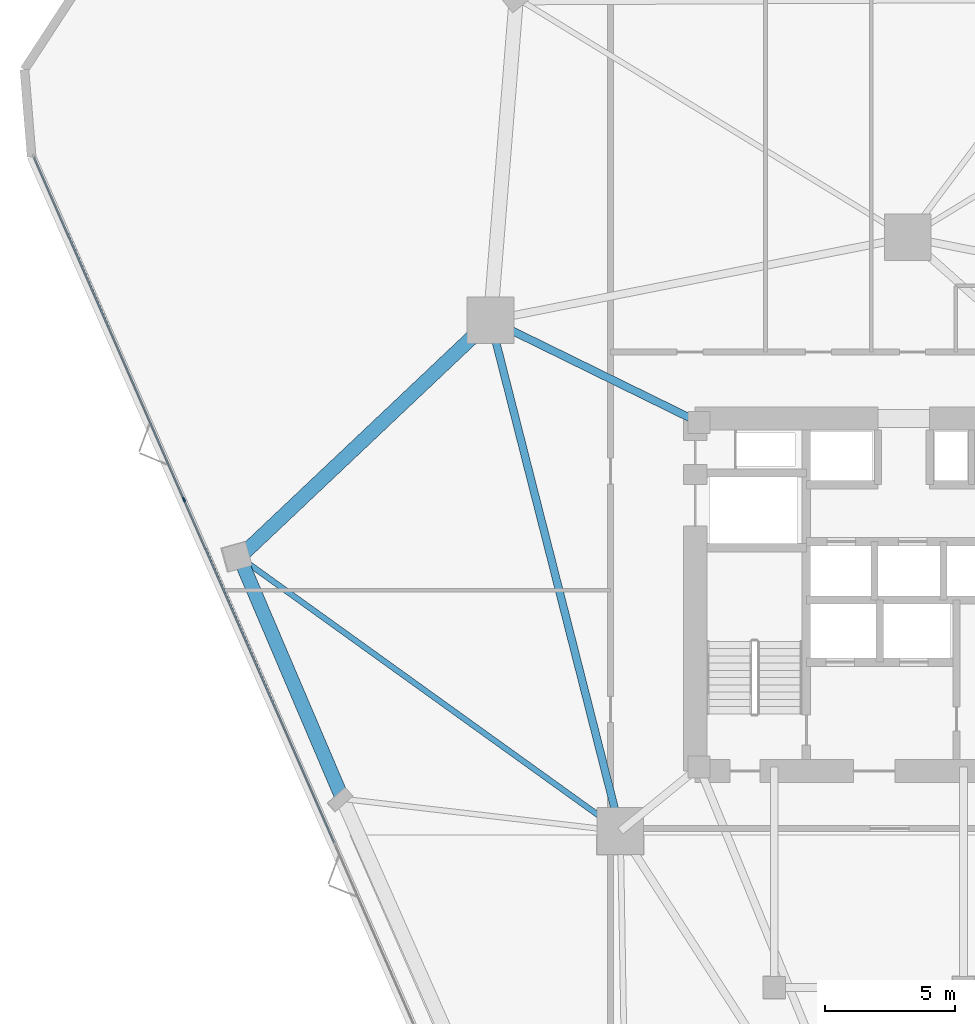
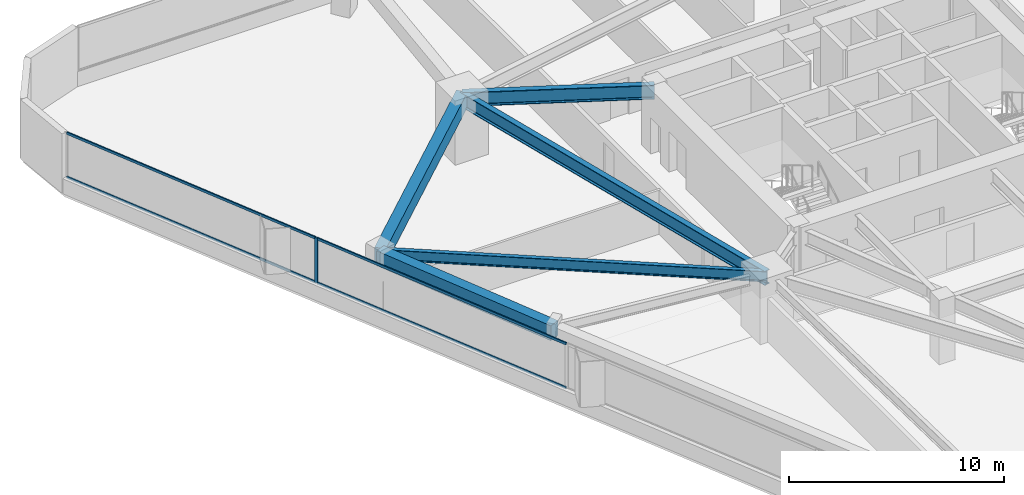
# One storey, part 7 of 21: 5 beams, 5 members, 1 element without a shape of its own.
"""IFC4 building model written with IfcOpenShell, lengths in metres."""

from ifc_helpers import new_model, si_unit, direction, frame, origin, origin_2d, place, context, subcontext, project, spatial, rectangle, i_section, extrude, material, layer, layer_set, material_profile, profile_set, type_object, element, aggregate, save


model = new_model("IFC4")

# Units and contexts
model_context = context("Model", 3, precision=1e-05, world=origin(), true_north=direction((0.0, 1.0)))
body_context = subcontext(model_context, "Body", "Model", "MODEL_VIEW")
ifc_project = project(units=[si_unit("LENGTHUNIT", "METRE"), si_unit("AREAUNIT", "SQUARE_METRE"), si_unit("VOLUMEUNIT", "CUBIC_METRE"), si_unit("PLANEANGLEUNIT", "RADIAN"), si_unit("MASSUNIT", "GRAM", prefix="KILO")], contexts=[model_context])

# Site, building, storey
site_placement = place(None, origin())
site = spatial("IfcSite", under=ifc_project, at=site_placement, CompositionType="ELEMENT")
building_placement = place(site_placement, origin())
building = spatial("IfcBuilding", under=site, at=building_placement, Name="Talyreon Biosciences Tower", CompositionType="ELEMENT")
storey_placement = place(building_placement, frame((0.0, 0.0, 33.75)))
storey = spatial("IfcBuildingStorey", under=building, at=storey_placement, Name="L08", CompositionType="ELEMENT", Elevation=33.75)

# Curtain wall, members
ifc_material_1 = material(Name="Thermally broken aluminium and low-E glazing", Category="aluminium")
ifc_layer = layer(ifc_material_1, 0.195068359375)
ifc_layer_set = layer_set([ifc_layer], Name="Thermally broken aluminium and low-E glazing")
curtain_wall_type = type_object("IfcCurtainWallType", Name="CurtainWall_Zone1WetLab", PredefinedType="NOTDEFINED", material=ifc_layer_set)
curtain_wall_placement = place(storey_placement, origin())
curtain_wall = element("IfcCurtainWall", 1, at=curtain_wall_placement, inside=storey, type_object=curtain_wall_type, Name="L08 Unitised Curtain Wall FCW-L08-00", PredefinedType="NOTDEFINED")
ifc_material_2 = material(Name="Anodised thermally broken aluminium", Category="aluminium")
ifc_material_profile_1 = material_profile(ifc_material_2, rectangle(XDim=0.06494140625, YDim=0.179931640625, at=origin_2d()), Name="ALUM MULLION 65x180")
ifc_profile_set_1 = profile_set([ifc_material_profile_1], Name="Anodised thermally broken aluminium")
member_type_1 = type_object("IfcMemberType", Name="CWMullion_65x180", PredefinedType="MULLION", material=ifc_profile_set_1)
member_1_placement = place(storey_placement, frame((38.0732421875, 71.6708984375, 0.81005859375), z_axis=(0.0, 0.0, 1.0), x_axis=(-0.915980408101, -0.401222995321, 0.0)))
member_1 = element("IfcMember", 2, at=member_1_placement, type_object=member_type_1, Name="CW2 mullion 5", PredefinedType="MULLION", context=body_context, shape_type="SweptSolid", body=[
    extrude(rectangle(XDim=0.06494140625, YDim=0.179931640625, at=origin_2d()), origin(), (0.0, 0.0, 1.0), 2.56494140625),
])
ifc_material_profile_2 = material_profile(ifc_material_2, rectangle(XDim=0.06494140625, YDim=0.139892578125, at=origin_2d()), Name="ALUM TRANSOM 65x140")
ifc_profile_set_2 = profile_set([ifc_material_profile_2], Name="Anodised thermally broken aluminium")
member_type_2 = type_object("IfcMemberType", Name="CWTransom_65x140", PredefinedType="USERDEFINED", material=ifc_profile_set_2)
member_2_placement = place(storey_placement, frame((43.869384765625, 58.4384765625, 0.842529296875), z_axis=(-0.401215094817, 0.915983868685, 0.0), x_axis=(-0.915983868685, -0.401215094817, 0.0)))
member_2 = element("IfcMember", 3, at=member_2_placement, type_object=member_type_2, Name="CW2 transom 4.1", ObjectType="TRANSOM", PredefinedType="USERDEFINED", context=body_context, shape_type="SweptSolid", body=[
    extrude(rectangle(XDim=0.06494140625, YDim=0.139892578125, at=origin_2d()), origin(), (0.0, 0.0, 1.0), 14.41357421875),
])
member_3_placement = place(storey_placement, frame((43.869384765625, 58.4384765625, 3.342529296875), z_axis=(-0.401215094817, 0.915983868685, 0.0), x_axis=(-0.915983868685, -0.401215094817, 0.0)))
member_3 = element("IfcMember", 4, at=member_3_placement, type_object=member_type_2, Name="CW2 transom 4.2", ObjectType="TRANSOM", PredefinedType="USERDEFINED", context=body_context, shape_type="SweptSolid", body=[
    extrude(rectangle(XDim=0.06494140625, YDim=0.139892578125, at=origin_2d()), origin(), (0.0, 0.0, 1.0), 14.41357421875),
])
member_4_placement = place(storey_placement, frame((38.060302734375, 71.70068359375, 0.842529296875), z_axis=(-0.401215092974, 0.915983869492, 0.0), x_axis=(-0.915983869492, -0.401215092974, 0.0)))
member_4 = element("IfcMember", 5, at=member_4_placement, type_object=member_type_2, Name="CW2 transom 5.1", ObjectType="TRANSOM", PredefinedType="USERDEFINED", context=body_context, shape_type="SweptSolid", body=[
    extrude(rectangle(XDim=0.06494140625, YDim=0.139892578125, at=origin_2d()), origin(), (0.0, 0.0, 1.0), 14.38134765625),
])
member_5_placement = place(storey_placement, frame((38.060302734375, 71.70068359375, 3.342529296875), z_axis=(-0.401215092974, 0.915983869492, 0.0), x_axis=(-0.915983869492, -0.401215092974, 0.0)))
member_5 = element("IfcMember", 6, at=member_5_placement, type_object=member_type_2, Name="CW2 transom 5.2", ObjectType="TRANSOM", PredefinedType="USERDEFINED", context=body_context, shape_type="SweptSolid", body=[
    extrude(rectangle(XDim=0.06494140625, YDim=0.139892578125, at=origin_2d()), origin(), (0.0, 0.0, 1.0), 14.38134765625),
])
aggregate(curtain_wall, [member_1, member_2, member_3, member_4, member_5])

# Beams
ifc_material_3 = material(Name="Precast concrete C45/55", Category="concrete")
ifc_material_profile_3 = material_profile(ifc_material_3, rectangle(XDim=0.550048828125, YDim=0.85009765625, at=origin_2d()), Name="RCB 550x850")
ifc_profile_set_3 = profile_set([ifc_material_profile_3], Name="Precast concrete C45/55")
beam_type_1 = type_object("IfcBeamType", Name="ExpressedSpandrel_550x850", PredefinedType="SPANDREL", material=ifc_profile_set_3)
beam_1_placement = place(storey_placement, frame((49.897705078125, 78.5986328125, 2.949951171875), z_axis=(-0.726781369347, -0.686868867521, 0.0), x_axis=(0.686868867521, -0.726781369347, 0.0)))
element("IfcBeam", 7, at=beam_1_placement, inside=storey, type_object=beam_type_1, Name="L08 Expressed Horizontal Concrete Spandrel 09", PredefinedType="SPANDREL", context=body_context, shape_type="SweptSolid", body=[
    extrude(rectangle(XDim=0.550048828125, YDim=0.85009765625, at=origin_2d()), origin(), (0.0, 0.0, 1.0), 13.322509765625),
])
beam_2_placement = place(storey_placement, frame((40.215087890625, 69.44775390625, 2.949951171875), z_axis=(0.392185989462, -0.919885943837, 0.0), x_axis=(0.919885943837, 0.392185989462, 0.0)))
element("IfcBeam", 8, at=beam_2_placement, inside=storey, type_object=beam_type_1, Name="L08 Expressed Horizontal Concrete Spandrel 10", PredefinedType="SPANDREL", context=body_context, shape_type="SweptSolid", body=[
    extrude(rectangle(XDim=0.550048828125, YDim=0.85009765625, at=origin_2d()), origin(), (0.0, 0.0, 1.0), 10.1357421875),
])
ifc_material_4 = material(Name="Steel SM355", Category="steel")
ifc_material_profile_4 = material_profile(ifc_material_4, i_section(OverallWidth=0.300048828125, OverallDepth=0.800048828125, WebThickness=0.017578125, FlangeThickness=0.032958984375, FilletRadius=0.030029296875, at=origin_2d()), Name="HE800B")
ifc_profile_set_4 = profile_set([ifc_material_profile_4], Name="Steel SM355")
beam_type_2 = type_object("IfcBeamType", Name="SteelGirder_HE800B", PredefinedType="BEAM", material=ifc_profile_set_4)
beam_3_placement = place(storey_placement, frame((49.897705078125, 78.5986328125, 2.97509765625), z_axis=(0.246537082299, -0.969133358755, 0.0), x_axis=(0.969133358755, 0.246537082299, 0.0)))
element("IfcBeam", 9, at=beam_3_placement, inside=storey, type_object=beam_type_2, Name="L08 Mega-Ring Girder 5", PredefinedType="BEAM", context=body_context, shape_type="SweptSolid", body=[
    extrude(i_section(OverallWidth=0.300048828125, OverallDepth=0.800048828125, WebThickness=0.017578125, FlangeThickness=0.032958984375, FilletRadius=0.030029296875, at=origin_2d()), origin(), (0.0, 0.0, 1.0), 20.34619140625),
])
beam_4_placement = place(storey_placement, frame((57.949951171875, 74.64990234375, 2.97509765625), z_axis=(-0.897852360314, 0.440296648952, 0.0), x_axis=(-0.440296648952, -0.897852360314, 0.0)))
element("IfcBeam", 10, at=beam_4_placement, inside=storey, type_object=beam_type_2, Name="L08 Radial Primary Girder 5", PredefinedType="BEAM", context=body_context, shape_type="SweptSolid", body=[
    extrude(i_section(OverallWidth=0.300048828125, OverallDepth=0.800048828125, WebThickness=0.017578125, FlangeThickness=0.032958984375, FilletRadius=0.030029296875, at=origin_2d()), origin(), (0.0, 0.0, 1.0), 8.96826171875),
])
ifc_material_profile_5 = material_profile(ifc_material_4, i_section(OverallWidth=0.219970703125, OverallDepth=0.60009765625, WebThickness=0.011962890625, FlangeThickness=0.01904296875, FilletRadius=0.02392578125, at=origin_2d()), Name="IPE600")
ifc_profile_set_5 = profile_set([ifc_material_profile_5], Name="Steel SM355")
beam_type_3 = type_object("IfcBeamType", Name="SteelJoist_IPE600", PredefinedType="JOIST", material=ifc_profile_set_5)
beam_5_placement = place(storey_placement, frame((54.913818359375, 58.88037109375, 3.074951171875), z_axis=(-0.811945459992, 0.583733303828, 0.0), x_axis=(-0.583733303828, -0.811945459992, 0.0)))
element("IfcBeam", 11, at=beam_5_placement, inside=storey, type_object=beam_type_3, Name="L08 Radial Composite Floor Joist PC-SW1", PredefinedType="JOIST", context=body_context, shape_type="SweptSolid", body=[
    extrude(i_section(OverallWidth=0.219970703125, OverallDepth=0.60009765625, WebThickness=0.011962890625, FlangeThickness=0.01904296875, FilletRadius=0.02392578125, at=origin_2d()), origin(), (0.0, 0.0, 1.0), 18.10302734375),
])

save(model, "model.ifc")
